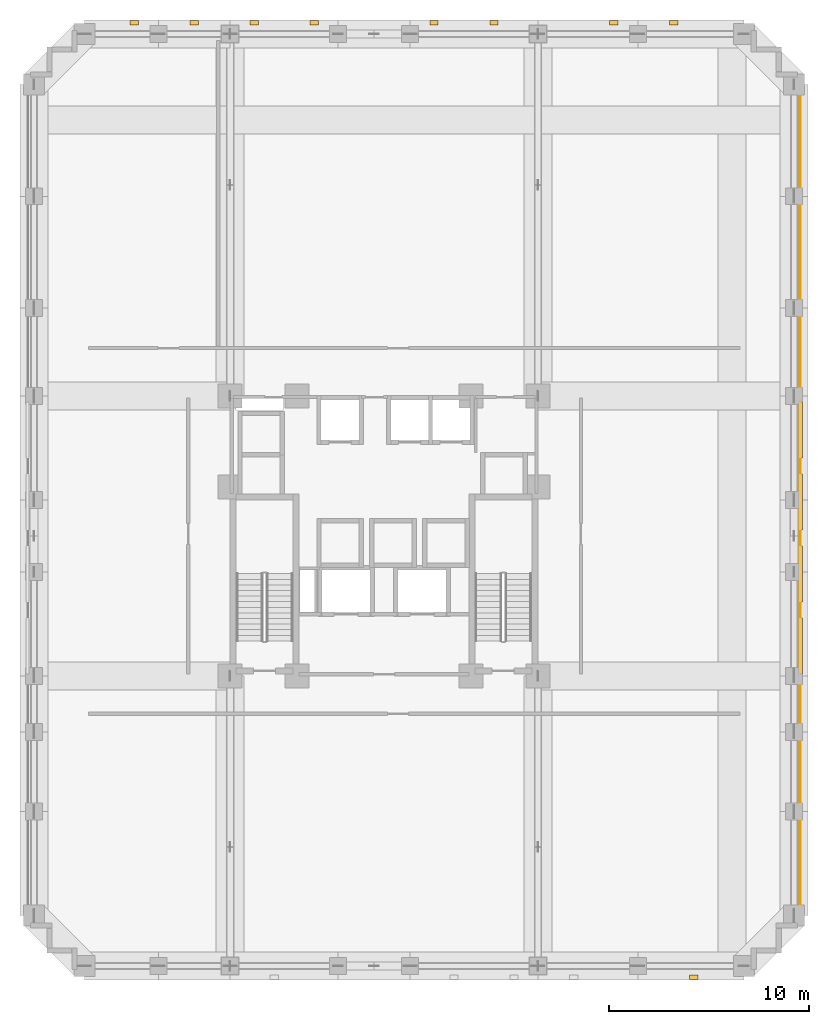
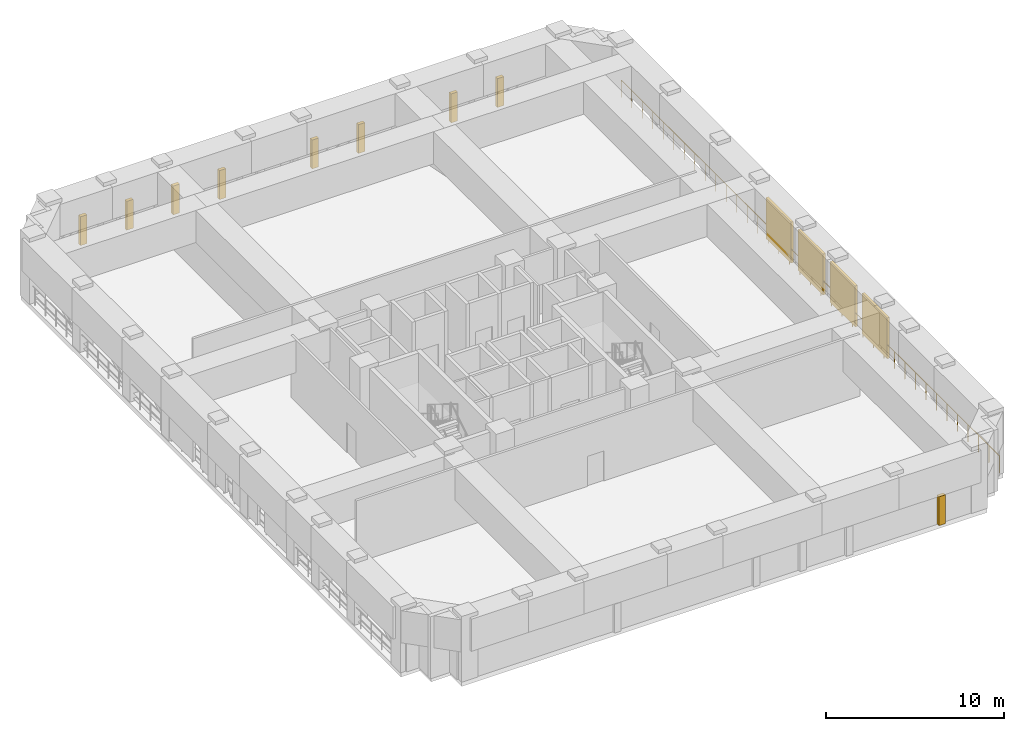
# One storey, part 11 of 11: 9 coverings, 4 shading devices, 1 railing.
"""IFC4 building model written with IfcOpenShell, lengths in metres."""

from ifc_helpers import new_model, si_unit, derived_unit, direction, frame, origin, origin_2d, place, context, subcontext, project, spatial, rectangle, circle, extrude, material, layer, layer_set, type_object, element, save


model = new_model("IFC4")

# Units and contexts
model_context = context("Model", 3, precision=1e-05, world=origin(), true_north=direction((0.0, 1.0)))
body_context = subcontext(model_context, "Body", "Model", "MODEL_VIEW")
ifc_project = project(units=[si_unit("LENGTHUNIT", "METRE"), si_unit("AREAUNIT", "SQUARE_METRE"), si_unit("VOLUMEUNIT", "CUBIC_METRE"), si_unit("PLANEANGLEUNIT", "RADIAN"), si_unit("MASSUNIT", "GRAM", prefix="KILO"), derived_unit("THERMALTRANSMITTANCEUNIT", [(si_unit("MASSUNIT", "GRAM", prefix="KILO"), 1), (si_unit("TIMEUNIT", "SECOND"), -3), (si_unit("THERMODYNAMICTEMPERATUREUNIT", "KELVIN"), -1)])], contexts=[model_context])

# Site, building, storey
site_placement = place(None, origin())
site = spatial("IfcSite", under=ifc_project, at=site_placement, CompositionType="ELEMENT")
building_placement = place(site_placement, origin())
building = spatial("IfcBuilding", under=site, at=building_placement, Name="Korrvale Station Residences", CompositionType="ELEMENT")
storey_placement = place(building_placement, frame((0.0, 0.0, 70.60009765625)))
storey = spatial("IfcBuildingStorey", under=building, at=storey_placement, Name="L19", CompositionType="ELEMENT", Elevation=70.60009765625)

# Coverings
ifc_material_1 = material(Name="Architectural precast concrete C45/55", Category="concrete")
ifc_layer = layer(ifc_material_1, 0.219970703125, Name="Architectural precast concrete C45/55")
ifc_layer_set = layer_set([ifc_layer], Name="Architectural precast concrete C45/55")
covering_type = type_object("IfcCoveringType", Name="COV-PIER-400", PredefinedType="CLADDING", material=ifc_layer_set)
for number, where, z_axis, x_axis, name in (
    (1, (41.0, -0.090087890625, 0.02490234375), (0.0, 0.0, 1.0), (1.0, 0.0, 0.0), "L19 Architectural Precast Facade Pier 01"),
    (2, (13.0, 47.68994140625, 0.02490234375), (0.0, 0.0, 1.0), (1.0, 0.0, 0.0), "L19 Architectural Precast Facade Pier 06"),
    (3, (16.0, 47.68994140625, 0.02490234375), (0.0, 0.0, 1.0), (1.0, 0.0, 0.0), "L19 Architectural Precast Facade Pier 07"),
    (4, (19.0, 47.68994140625, 0.02490234375), (0.0, 0.0, 1.0), (1.0, 0.0, 0.0), "L19 Architectural Precast Facade Pier 08"),
    (5, (22.0, 47.68994140625, 0.02490234375), (0.0, 0.0, 1.0), (1.0, 0.0, 0.0), "L19 Architectural Precast Facade Pier 09"),
    (6, (28.0, 47.68994140625, 0.02490234375), (0.0, 0.0, 1.0), (1.0, 0.0, 0.0), "L19 Architectural Precast Facade Pier 10"),
    (7, (31.0, 47.68994140625, 0.02490234375), (0.0, 0.0, 1.0), (1.0, 0.0, 0.0), "L19 Architectural Precast Facade Pier 11"),
    (8, (37.0, 47.68994140625, 0.02490234375), (0.0, 0.0, 1.0), (1.0, 0.0, 0.0), "L19 Architectural Precast Facade Pier 12"),
    (9, (40.0, 47.68994140625, 0.02490234375), (0.0, 0.0, 1.0), (1.0, 0.0, 0.0), "L19 Architectural Precast Facade Pier 13"),
):
    element("IfcCovering", number, at=place(storey_placement, frame(where, z_axis=z_axis, x_axis=x_axis)), inside=storey, type_object=covering_type, Name=name, PredefinedType="CLADDING", context=body_context, shape_type="SweptSolid", body=[
        extrude(rectangle(XDim=0.419921875, YDim=0.219970703125, at=origin_2d()), origin(), (0.0, 0.0, 1.0), 1.97509765625),
    ])

# Railing
ifc_material_2 = material(Name="Galvanised steel refuge perimeter guard", Category="steel")
railing_type = type_object("IfcRailingType", Name="RLG-REF-1200", PredefinedType="GUARDRAIL", material=ifc_material_2)
railing_placement = place(storey_placement, frame((46.320068359375, 2.60009765625, 0.0)))
element("IfcRailing", 10, at=railing_placement, inside=storey, type_object=railing_type, Name="L19 Open Refuge Band Perimeter Guard East", PredefinedType="GUARDRAIL", context=body_context, shape_type="SweptSolid", body=[
    extrude(circle(Radius=0.02392578125, at=origin_2d()), frame((0.0, 0.0, 1.17578125), z_axis=(0.0, 1.0, 0.0), x_axis=(-1.0, 0.0, 0.0)), (0.0, 0.0, 1.0), 42.39990234375),
    extrude(circle(Radius=0.02099609375, at=origin_2d()), origin(), (0.0, 0.0, 1.0), 1.15185546875),
    extrude(circle(Radius=0.02099609375, at=origin_2d()), frame((0.0, 1.177734375, 0.0)), (0.0, 0.0, 1.0), 1.15185546875),
    extrude(circle(Radius=0.02099609375, at=origin_2d()), frame((0.0, 2.35546875, 0.0)), (0.0, 0.0, 1.0), 1.15185546875),
    extrude(circle(Radius=0.02099609375, at=origin_2d()), frame((0.0, 3.533203125, 0.0)), (0.0, 0.0, 1.0), 1.15185546875),
    extrude(circle(Radius=0.02099609375, at=origin_2d()), frame((0.0, 4.711181640625, 0.0)), (0.0, 0.0, 1.0), 1.15185546875),
    extrude(circle(Radius=0.02099609375, at=origin_2d()), frame((0.0, 5.888916015625, 0.0)), (0.0, 0.0, 1.0), 1.15185546875),
    extrude(circle(Radius=0.02099609375, at=origin_2d()), frame((0.0, 7.066650390625, 0.0)), (0.0, 0.0, 1.0), 1.15185546875),
    extrude(circle(Radius=0.02099609375, at=origin_2d()), frame((0.0, 8.244384765625, 0.0)), (0.0, 0.0, 1.0), 1.15185546875),
    extrude(circle(Radius=0.02099609375, at=origin_2d()), frame((0.0, 9.422119140625, 0.0)), (0.0, 0.0, 1.0), 1.15185546875),
    extrude(circle(Radius=0.02099609375, at=origin_2d()), frame((0.0, 10.60009765625, 0.0)), (0.0, 0.0, 1.0), 1.15185546875),
    extrude(circle(Radius=0.02099609375, at=origin_2d()), frame((0.0, 11.77783203125, 0.0)), (0.0, 0.0, 1.0), 1.15185546875),
    extrude(circle(Radius=0.02099609375, at=origin_2d()), frame((0.0, 12.95556640625, 0.0)), (0.0, 0.0, 1.0), 1.15185546875),
    extrude(circle(Radius=0.02099609375, at=origin_2d()), frame((0.0, 14.13330078125, 0.0)), (0.0, 0.0, 1.0), 1.15185546875),
    extrude(circle(Radius=0.02099609375, at=origin_2d()), frame((0.0, 15.31103515625, 0.0)), (0.0, 0.0, 1.0), 1.15185546875),
    extrude(circle(Radius=0.02099609375, at=origin_2d()), frame((0.0, 16.48876953125, 0.0)), (0.0, 0.0, 1.0), 1.15185546875),
    extrude(circle(Radius=0.02099609375, at=origin_2d()), frame((0.0, 17.66650390625, 0.0)), (0.0, 0.0, 1.0), 1.15185546875),
    extrude(circle(Radius=0.02099609375, at=origin_2d()), frame((0.0, 18.844482421875, 0.0)), (0.0, 0.0, 1.0), 1.15185546875),
    extrude(circle(Radius=0.02099609375, at=origin_2d()), frame((0.0, 20.022216796875, 0.0)), (0.0, 0.0, 1.0), 1.15185546875),
    extrude(circle(Radius=0.02099609375, at=origin_2d()), frame((0.0, 21.199951171875, 0.0)), (0.0, 0.0, 1.0), 1.15185546875),
    extrude(circle(Radius=0.02099609375, at=origin_2d()), frame((0.0, 22.377685546875, 0.0)), (0.0, 0.0, 1.0), 1.15185546875),
    extrude(circle(Radius=0.02099609375, at=origin_2d()), frame((0.0, 23.555419921875, 0.0)), (0.0, 0.0, 1.0), 1.15185546875),
    extrude(circle(Radius=0.02099609375, at=origin_2d()), frame((0.0, 24.7333984375, 0.0)), (0.0, 0.0, 1.0), 1.15185546875),
    extrude(circle(Radius=0.02099609375, at=origin_2d()), frame((0.0, 25.9111328125, 0.0)), (0.0, 0.0, 1.0), 1.15185546875),
    extrude(circle(Radius=0.02099609375, at=origin_2d()), frame((0.0, 27.0888671875, 0.0)), (0.0, 0.0, 1.0), 1.15185546875),
    extrude(circle(Radius=0.02099609375, at=origin_2d()), frame((0.0, 28.2666015625, 0.0)), (0.0, 0.0, 1.0), 1.15185546875),
    extrude(circle(Radius=0.02099609375, at=origin_2d()), frame((0.0, 29.4443359375, 0.0)), (0.0, 0.0, 1.0), 1.15185546875),
    extrude(circle(Radius=0.02099609375, at=origin_2d()), frame((0.0, 30.6220703125, 0.0)), (0.0, 0.0, 1.0), 1.15185546875),
    extrude(circle(Radius=0.02099609375, at=origin_2d()), frame((0.0, 31.7998046875, 0.0)), (0.0, 0.0, 1.0), 1.15185546875),
    extrude(circle(Radius=0.02099609375, at=origin_2d()), frame((0.0, 32.977783203125, 0.0)), (0.0, 0.0, 1.0), 1.15185546875),
    extrude(circle(Radius=0.02099609375, at=origin_2d()), frame((0.0, 34.155517578125, 0.0)), (0.0, 0.0, 1.0), 1.15185546875),
    extrude(circle(Radius=0.02099609375, at=origin_2d()), frame((0.0, 35.333251953125, 0.0)), (0.0, 0.0, 1.0), 1.15185546875),
    extrude(circle(Radius=0.02099609375, at=origin_2d()), frame((0.0, 36.510986328125, 0.0)), (0.0, 0.0, 1.0), 1.15185546875),
    extrude(circle(Radius=0.02099609375, at=origin_2d()), frame((0.0, 37.688720703125, 0.0)), (0.0, 0.0, 1.0), 1.15185546875),
    extrude(circle(Radius=0.02099609375, at=origin_2d()), frame((0.0, 38.86669921875, 0.0)), (0.0, 0.0, 1.0), 1.15185546875),
    extrude(circle(Radius=0.02099609375, at=origin_2d()), frame((0.0, 40.04443359375, 0.0)), (0.0, 0.0, 1.0), 1.15185546875),
    extrude(circle(Radius=0.02099609375, at=origin_2d()), frame((0.0, 41.22216796875, 0.0)), (0.0, 0.0, 1.0), 1.15185546875),
    extrude(circle(Radius=0.02099609375, at=origin_2d()), frame((0.0, 42.39990234375, 0.0)), (0.0, 0.0, 1.0), 1.15185546875),
])

# Shading devices
ifc_material_3 = material(Name="Powder-coated aluminium acoustic louvre", Category="aluminium")
shading_device_type = type_object("IfcShadingDeviceType", Name="SHD-LVR-REF", PredefinedType="USERDEFINED", material=ifc_material_3)
for number, where, z_axis, x_axis, name in (
    (11, (46.35009765625, 16.5, 0.25), (0.0, 0.0, 1.0), (1.0, 0.0, 0.0), "L19 Open Refuge Band Acoustic Storm Louvre East 1"),
    (12, (46.35009765625, 20.10009765625, 0.25), (0.0, 0.0, 1.0), (1.0, 0.0, 0.0), "L19 Open Refuge Band Acoustic Storm Louvre East 2"),
    (13, (46.35009765625, 23.699951171875, 0.25), (0.0, 0.0, 1.0), (1.0, 0.0, 0.0), "L19 Open Refuge Band Acoustic Storm Louvre East 3"),
    (14, (46.35009765625, 27.300048828125, 0.25), (0.0, 0.0, 1.0), (1.0, 0.0, 0.0), "L19 Open Refuge Band Acoustic Storm Louvre East 4"),
):
    element("IfcShadingDevice", number, at=place(storey_placement, frame(where, z_axis=z_axis, x_axis=x_axis)), inside=storey, type_object=shading_device_type, Name=name, ObjectType="LOUVRE", PredefinedType="USERDEFINED", context=body_context, shape_type="SweptSolid", body=[
        extrude(rectangle(XDim=0.159912109375, YDim=2.800048828125, at=origin_2d()), origin(), (0.0, 0.0, 1.0), 2.800048828125),
    ])

save(model, "model.ifc")
